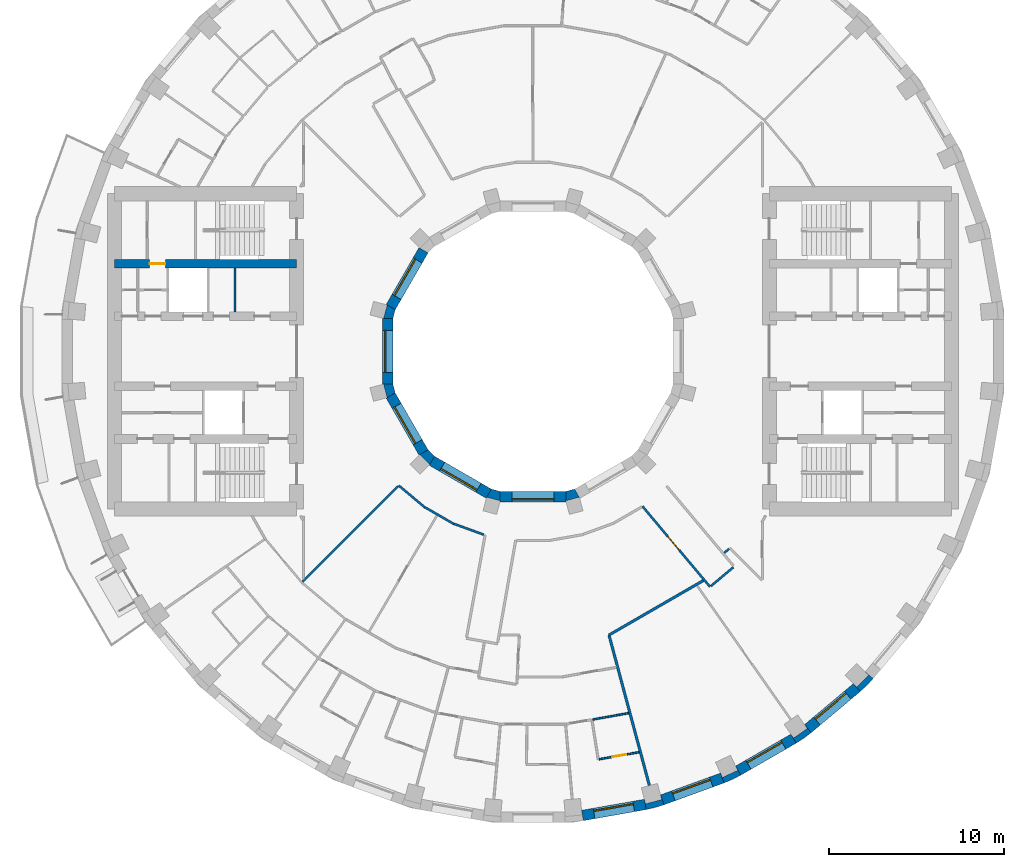
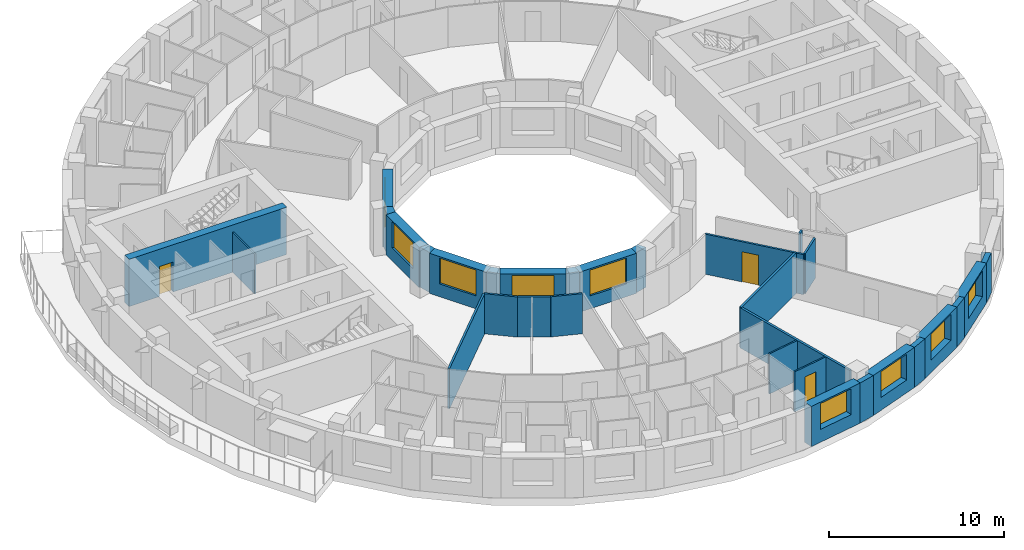
# One storey, part 5 of 12: 31 walls, 9 windows, 3 doors, 12 openings.
"""IFC4 building model written with IfcOpenShell, lengths in metres."""

from ifc_helpers import new_model, si_unit, direction, frame, frame_2d, origin, place, context, subcontext, project, spatial, polyline, rectangle, outline, extrude, material, layer, layer_set, type_object, element, fill, save


model = new_model("IFC4")

# Units and contexts
model_context = context("Model", 3, precision=1e-05, world=origin(), true_north=direction((0.0, 1.0)))
body_context = subcontext(model_context, "Body", "Model", "MODEL_VIEW")
ifc_project = project(units=[si_unit("LENGTHUNIT", "METRE"), si_unit("AREAUNIT", "SQUARE_METRE"), si_unit("VOLUMEUNIT", "CUBIC_METRE"), si_unit("PLANEANGLEUNIT", "RADIAN"), si_unit("MASSUNIT", "GRAM", prefix="KILO")], contexts=[model_context])

# Site, building, storey
site_placement = place(None, origin())
site = spatial("IfcSite", under=ifc_project, at=site_placement, CompositionType="ELEMENT")
building_placement = place(site_placement, origin())
building = spatial("IfcBuilding", under=site, at=building_placement, Name="Saqina Gate Tower", CompositionType="ELEMENT")
storey_placement = place(building_placement, frame((0.0, 0.0, 115.0)))
storey = spatial("IfcBuildingStorey", under=building, at=storey_placement, Name="L32", CompositionType="ELEMENT", Elevation=115.0)

# Walls
ifc_material_1 = material(Name="Brick masonry (buff)", Category="masonry")
wall_type_1 = type_object("IfcWallType", Name="BRICK PIER COPING BUFF", PredefinedType="SOLIDWALL", material=ifc_material_1)
wall_1_placement = place(storey_placement, origin())
element("IfcWall", 1, at=wall_1_placement, inside=storey, type_object=wall_type_1, Name="Pier cap L32 column 29", PredefinedType="SOLIDWALL", context=body_context, shape_type="SweptSolid", body=[
    extrude(outline(polyline([(6.466796875, -26.171875), (7.485595703125, -25.89892578125), (7.2802734375, -25.335205078125), (7.349853515625, -25.5947265625), (6.43212890625, -25.8408203125), (6.36279296875, -25.5810546875), (6.466796875, -26.171875)])), origin(), (0.0, 0.0, 1.0), 2.800048828125),
])
wall_2_placement = place(storey_placement, origin())
element("IfcWall", 2, at=wall_2_placement, inside=storey, type_object=wall_type_1, Name="Pier cap L32 column 30", PredefinedType="SOLIDWALL", context=body_context, shape_type="SweptSolid", body=[
    extrude(outline(polyline([(10.913330078125, -24.6513671875), (11.869140625, -24.205810546875), (11.569091796875, -23.68603515625), (11.6826171875, -23.9296875), (10.82177734375, -24.331298828125), (10.7080078125, -24.08740234375), (10.913330078125, -24.6513671875)])), origin(), (0.0, 0.0, 1.0), 2.800048828125),
])
wall_3_placement = place(storey_placement, origin())
element("IfcWall", 3, at=wall_3_placement, inside=storey, type_object=wall_type_1, Name="Pier cap L32 column 31", PredefinedType="SOLIDWALL", context=body_context, shape_type="SweptSolid", body=[
    extrude(outline(polyline([(15.89208984375, -21.77685546875), (15.50634765625, -21.317138671875), (15.66064453125, -21.53759765625), (14.88232421875, -22.08251953125), (14.728271484375, -21.862060546875), (15.0283203125, -22.3818359375), (15.89208984375, -21.77685546875)])), origin(), (0.0, 0.0, 1.0), 2.800048828125),
])
wall_4_placement = place(storey_placement, origin())
element("IfcWall", 4, at=wall_4_placement, inside=storey, type_object=wall_type_1, Name="Pier cap L32 column 32", PredefinedType="SOLIDWALL", context=body_context, shape_type="SweptSolid", body=[
    extrude(outline(polyline([(18.686279296875, -19.43212890625), (19.43212890625, -18.686279296875), (18.972412109375, -18.30078125), (19.16259765625, -18.49072265625), (18.49072265625, -19.16259765625), (18.30078125, -18.972412109375), (18.686279296875, -19.43212890625)])), origin(), (0.0, 0.0, 1.0), 2.800048828125),
])
ifc_material_2 = material(Name="Gypsum board on steel studs", Category="steel")
ifc_layer_1 = layer(ifc_material_2, 0.10009765625)
ifc_layer_set_1 = layer_set([ifc_layer_1], Name="CORE PARTITION")
wall_type_2 = type_object("IfcWallType", Name="CORE PARTITION", PredefinedType="PARTITIONING", material=ifc_layer_set_1)
wall_5_placement = place(storey_placement, frame((-17.022216796875, 2.25, 0.0), z_axis=(0.0, 0.0, 1.0), x_axis=(0.0, 1.0, 0.0)))
element("IfcWall", 5, at=wall_5_placement, inside=storey, type_object=wall_type_2, Name="L32-CP-W01", PredefinedType="PARTITIONING", context=body_context, shape_type="SweptSolid", body=[
    extrude(rectangle(XDim=2.5, YDim=0.10009765625, at=frame_2d((1.25, 0.0))), origin(), (0.0, 0.0, 1.0), 2.800048828125),
])

# Wall, opening, window
ifc_material_3 = material(Name="Brick masonry (buff)", Category="masonry")
ifc_layer_2 = layer(ifc_material_3, 0.60009765625)
ifc_layer_set_2 = layer_set([ifc_layer_2], Name="FW-BRICK-BUFF")
wall_type_3 = type_object("IfcWallType", Name="FW-BRICK-BUFF", PredefinedType="SOLIDWALL", material=ifc_layer_set_2)
wall_6_placement = place(storey_placement, frame((2.822265625, -26.510009765625, 0.0), z_axis=(0.0, 0.0, 1.0), x_axis=(0.984803764455, 0.173670796382, 0.0)))
wall_6 = element("IfcWall", 6, at=wall_6_placement, inside=storey, type_object=wall_type_3, Name="Facade wall L32 facet 28", PredefinedType="SOLIDWALL", context=body_context, shape_type="SweptSolid", body=[
    extrude(rectangle(XDim=3.64794921875, YDim=0.60009765625, at=frame_2d((1.823974609375, 0.0))), origin(), (0.0, 0.0, 1.0), 2.800048828125),
])
opening_1_placement = place(wall_6_placement, frame((0.673828125, 0.0, 0.89990234375)))
opening_1 = element("IfcOpeningElement", 7, at=opening_1_placement, cuts=wall_6, Name="Opening G09-W20", PredefinedType="OPENING", context=body_context, shape_type="SweptSolid", body=[
    extrude(rectangle(XDim=2.300048828125, YDim=1.800048828125, at=frame_2d((1.14990234375, 0.89990234375))), frame((0.0, 0.31201171875, 0.0), z_axis=(0.0, -1.0, 0.0), x_axis=(1.0, 0.0, 0.0)), (0.0, 0.0, 1.0), 0.6240234375),
])
ifc_material_4 = material(Name="Aluminium glazing", Category="aluminium")
window_type_1 = type_object("IfcWindowType", Name="WN-B", PartitioningType="SINGLE_PANEL", PredefinedType="WINDOW", material=ifc_material_4)
window_1_placement = place(opening_1_placement, origin())
window_1 = element("IfcWindow", 8, at=window_1_placement, inside=storey, type_object=window_type_1, Name="Window L32 facet 28", OverallHeight=1.800048828125, OverallWidth=2.300048828125, PartitioningType="SINGLE_PANEL", PredefinedType="WINDOW", context=body_context, shape_type="SweptSolid", body=[
    extrude(rectangle(XDim=2.300048828125, YDim=1.800048828125, at=frame_2d((1.14990234375, 0.89990234375))), frame((0.0, 0.179931640625, 0.0), z_axis=(0.0, -1.0, 0.0), x_axis=(1.0, 0.0, 0.0)), (0.0, 0.0, 1.0), 0.06005859375),
])
fill(opening_1, window_1)

wall_7_placement = place(storey_placement, frame((7.3828125, -25.616943359375, 0.0), z_axis=(0.0, 0.0, 1.0), x_axis=(0.939703505393, 0.341990236633, 0.0)))
wall_7 = element("IfcWall", 9, at=wall_7_placement, inside=storey, type_object=wall_type_3, Name="Facade wall L32 facet 29", PredefinedType="SOLIDWALL", context=body_context, shape_type="SweptSolid", body=[
    extrude(rectangle(XDim=3.64794921875, YDim=0.60009765625, at=frame_2d((1.823974609375, 0.0))), origin(), (0.0, 0.0, 1.0), 2.800048828125),
])
opening_2_placement = place(wall_7_placement, frame((0.673828125, 0.0, 0.89990234375)))
opening_2 = element("IfcOpeningElement", 10, at=opening_2_placement, cuts=wall_7, Name="Opening G09-W21", PredefinedType="OPENING", context=body_context, shape_type="SweptSolid", body=[
    extrude(rectangle(XDim=2.300048828125, YDim=1.800048828125, at=frame_2d((1.14990234375, 0.89990234375))), frame((0.0, 0.31201171875, 0.0), z_axis=(0.0, -1.0, 0.0), x_axis=(1.0, 0.0, 0.0)), (0.0, 0.0, 1.0), 0.6240234375),
])
window_2_placement = place(opening_2_placement, origin())
window_2 = element("IfcWindow", 11, at=window_2_placement, inside=storey, type_object=window_type_1, Name="Window L32 facet 29", OverallHeight=1.800048828125, OverallWidth=2.300048828125, PartitioningType="SINGLE_PANEL", PredefinedType="WINDOW", context=body_context, shape_type="SweptSolid", body=[
    extrude(rectangle(XDim=2.300048828125, YDim=1.800048828125, at=frame_2d((1.14990234375, 0.89990234375))), frame((0.0, 0.179931640625, 0.0), z_axis=(0.0, -1.0, 0.0), x_axis=(1.0, 0.0, 0.0)), (0.0, 0.0, 1.0), 0.06005859375),
])
fill(opening_2, window_2)

wall_8_placement = place(storey_placement, frame((11.718994140625, -23.94580078125, 0.0), z_axis=(0.0, 0.0, 1.0), x_axis=(0.866051847062, 0.499954196102, 0.0)))
wall_8 = element("IfcWall", 12, at=wall_8_placement, inside=storey, type_object=wall_type_3, Name="Facade wall L32 facet 30", PredefinedType="SOLIDWALL", context=body_context, shape_type="SweptSolid", body=[
    extrude(rectangle(XDim=3.647705078125, YDim=0.60009765625, at=frame_2d((1.82373046875, 0.0))), origin(), (0.0, 0.0, 1.0), 2.800048828125),
])
opening_3_placement = place(wall_8_placement, frame((0.673828125, 0.0, 0.89990234375)))
opening_3 = element("IfcOpeningElement", 13, at=opening_3_placement, cuts=wall_8, Name="Opening G09-W22", PredefinedType="OPENING", context=body_context, shape_type="SweptSolid", body=[
    extrude(rectangle(XDim=2.300048828125, YDim=1.800048828125, at=frame_2d((1.14990234375, 0.89990234375))), frame((0.0, 0.31201171875, 0.0), z_axis=(0.0, -1.0, 0.0), x_axis=(1.0, 0.0, 0.0)), (0.0, 0.0, 1.0), 0.6240234375),
])
window_3_placement = place(opening_3_placement, origin())
window_3 = element("IfcWindow", 14, at=window_3_placement, inside=storey, type_object=window_type_1, Name="Window L32 facet 30", OverallHeight=1.800048828125, OverallWidth=2.300048828125, PartitioningType="SINGLE_PANEL", PredefinedType="WINDOW", context=body_context, shape_type="SweptSolid", body=[
    extrude(rectangle(XDim=2.300048828125, YDim=1.800048828125, at=frame_2d((1.14990234375, 0.89990234375))), frame((0.0, 0.179931640625, 0.0), z_axis=(0.0, -1.0, 0.0), x_axis=(1.0, 0.0, 0.0)), (0.0, 0.0, 1.0), 0.06005859375),
])
fill(opening_3, window_3)

wall_9_placement = place(storey_placement, frame((15.69921875, -21.547119140625, 0.0), z_axis=(0.0, 0.0, 1.0), x_axis=(0.766055462616, 0.642774476932, 0.0)))
wall_9 = element("IfcWall", 15, at=wall_9_placement, inside=storey, type_object=wall_type_3, Name="Facade wall L32 facet 31", PredefinedType="SOLIDWALL", context=body_context, shape_type="SweptSolid", body=[
    extrude(rectangle(XDim=3.647705078125, YDim=0.60009765625, at=frame_2d((1.82373046875, 0.0))), origin(), (0.0, 0.0, 1.0), 2.800048828125),
])
opening_4_placement = place(wall_9_placement, frame((0.673828125, 0.0, 0.89990234375)))
opening_4 = element("IfcOpeningElement", 16, at=opening_4_placement, cuts=wall_9, Name="Opening G09-W23", PredefinedType="OPENING", context=body_context, shape_type="SweptSolid", body=[
    extrude(rectangle(XDim=2.300048828125, YDim=1.800048828125, at=frame_2d((1.14990234375, 0.89990234375))), frame((0.0, 0.31201171875, 0.0), z_axis=(0.0, -1.0, 0.0), x_axis=(1.0, 0.0, 0.0)), (0.0, 0.0, 1.0), 0.6240234375),
])
window_4_placement = place(opening_4_placement, origin())
window_4 = element("IfcWindow", 17, at=window_4_placement, inside=storey, type_object=window_type_1, Name="Window L32 facet 31", OverallHeight=1.800048828125, OverallWidth=2.300048828125, PartitioningType="SINGLE_PANEL", PredefinedType="WINDOW", context=body_context, shape_type="SweptSolid", body=[
    extrude(rectangle(XDim=2.300048828125, YDim=1.800048828125, at=frame_2d((1.14990234375, 0.89990234375))), frame((0.0, 0.179931640625, 0.0), z_axis=(0.0, -1.0, 0.0), x_axis=(1.0, 0.0, 0.0)), (0.0, 0.0, 1.0), 0.06005859375),
])
fill(opening_4, window_4)

ifc_material_5 = material(Name="Glazed ceramic tile", Category="ceramic")
ifc_layer_3 = layer(ifc_material_5, 0.60009765625)
ifc_layer_set_3 = layer_set([ifc_layer_3], Name="IW-TILE")
wall_type_4 = type_object("IfcWallType", Name="IW-TILE", PredefinedType="SOLIDWALL", material=ifc_layer_set_3)
wall_10_placement = place(storey_placement, frame((-6.251220703125, 5.772705078125, 0.0), z_axis=(0.0, 0.0, 1.0), x_axis=(-0.499964958637, -0.86604563398, 0.0)))
wall_10 = element("IfcWall", 18, at=wall_10_placement, inside=storey, type_object=wall_type_4, Name="Well wall L32 facet 5", PredefinedType="SOLIDWALL", context=body_context, shape_type="SweptSolid", body=[
    extrude(rectangle(XDim=3.747314453125, YDim=0.60009765625, at=frame_2d((1.87353515625, 0.0))), origin(), (0.0, 0.0, 1.0), 2.800048828125),
])
opening_5_placement = place(wall_10_placement, frame((0.673583984375, 0.0, 0.89990234375)))
opening_5 = element("IfcOpeningElement", 19, at=opening_5_placement, cuts=wall_10, Name="Opening G09-W30", PredefinedType="OPENING", context=body_context, shape_type="SweptSolid", body=[
    extrude(rectangle(XDim=2.39990234375, YDim=1.800048828125, at=frame_2d((1.199951171875, 0.89990234375))), frame((0.0, 0.31201171875, 0.0), z_axis=(0.0, -1.0, 0.0), x_axis=(1.0, 0.0, 0.0)), (0.0, 0.0, 1.0), 0.6240234375),
])
ifc_material_6 = material(Name="Aluminium glazing", Category="aluminium")
window_type_2 = type_object("IfcWindowType", Name="WN-W", PartitioningType="SINGLE_PANEL", PredefinedType="WINDOW", material=ifc_material_6)
window_5_placement = place(opening_5_placement, origin())
window_5 = element("IfcWindow", 20, at=window_5_placement, inside=storey, type_object=window_type_2, Name="Well window L32 facet 5", OverallHeight=1.800048828125, OverallWidth=2.39990234375, PartitioningType="SINGLE_PANEL", PredefinedType="WINDOW", context=body_context, shape_type="SweptSolid", body=[
    extrude(rectangle(XDim=2.39990234375, YDim=1.800048828125, at=frame_2d((1.199951171875, 0.89990234375))), frame((0.0, -0.119873046875, 0.0), z_axis=(0.0, -1.0, 0.0), x_axis=(1.0, 0.0, 0.0)), (0.0, 0.0, 1.0), 0.06005859375),
])
fill(opening_5, window_5)

wall_11_placement = place(storey_placement, frame((-8.300048828125, 1.873779296875, 0.0), z_axis=(0.0, 0.0, 1.0), x_axis=(0.0, -1.0, 0.0)))
wall_11 = element("IfcWall", 21, at=wall_11_placement, inside=storey, type_object=wall_type_4, Name="Well wall L32 facet 6", PredefinedType="SOLIDWALL", context=body_context, shape_type="SweptSolid", body=[
    extrude(rectangle(XDim=3.74755859375, YDim=0.60009765625, at=frame_2d((1.873779296875, 0.0))), origin(), (0.0, 0.0, 1.0), 2.800048828125),
])
opening_6_placement = place(wall_11_placement, frame((0.673583984375, 0.0, 0.89990234375)))
opening_6 = element("IfcOpeningElement", 22, at=opening_6_placement, cuts=wall_11, Name="Opening G09-W31", PredefinedType="OPENING", context=body_context, shape_type="SweptSolid", body=[
    extrude(rectangle(XDim=2.39990234375, YDim=1.800048828125, at=frame_2d((1.199951171875, 0.89990234375))), frame((0.0, 0.31201171875, 0.0), z_axis=(0.0, -1.0, 0.0), x_axis=(1.0, 0.0, 0.0)), (0.0, 0.0, 1.0), 0.6240234375),
])
window_6_placement = place(opening_6_placement, origin())
window_6 = element("IfcWindow", 23, at=window_6_placement, inside=storey, type_object=window_type_2, Name="Well window L32 facet 6", OverallHeight=1.800048828125, OverallWidth=2.39990234375, PartitioningType="SINGLE_PANEL", PredefinedType="WINDOW", context=body_context, shape_type="SweptSolid", body=[
    extrude(rectangle(XDim=2.39990234375, YDim=1.800048828125, at=frame_2d((1.199951171875, 0.89990234375))), frame((0.0, -0.119873046875, 0.0), z_axis=(0.0, -1.0, 0.0), x_axis=(1.0, 0.0, 0.0)), (0.0, 0.0, 1.0), 0.06005859375),
])
fill(opening_6, window_6)

wall_12_placement = place(storey_placement, frame((-8.124755859375, -2.52734375, 0.0), z_axis=(0.0, 0.0, 1.0), x_axis=(0.499964958637, -0.86604563398, 0.0)))
wall_12 = element("IfcWall", 24, at=wall_12_placement, inside=storey, type_object=wall_type_4, Name="Well wall L32 facet 7", PredefinedType="SOLIDWALL", context=body_context, shape_type="SweptSolid", body=[
    extrude(rectangle(XDim=3.747314453125, YDim=0.60009765625, at=frame_2d((1.87353515625, 0.0))), origin(), (0.0, 0.0, 1.0), 2.800048828125),
])
opening_7_placement = place(wall_12_placement, frame((0.673583984375, 0.0, 0.89990234375)))
opening_7 = element("IfcOpeningElement", 25, at=opening_7_placement, cuts=wall_12, Name="Opening G09-W32", PredefinedType="OPENING", context=body_context, shape_type="SweptSolid", body=[
    extrude(rectangle(XDim=2.39990234375, YDim=1.800048828125, at=frame_2d((1.199951171875, 0.89990234375))), frame((0.0, 0.31201171875, 0.0), z_axis=(0.0, -1.0, 0.0), x_axis=(1.0, 0.0, 0.0)), (0.0, 0.0, 1.0), 0.6240234375),
])
window_7_placement = place(opening_7_placement, origin())
window_7 = element("IfcWindow", 26, at=window_7_placement, inside=storey, type_object=window_type_2, Name="Well window L32 facet 7", OverallHeight=1.800048828125, OverallWidth=2.39990234375, PartitioningType="SINGLE_PANEL", PredefinedType="WINDOW", context=body_context, shape_type="SweptSolid", body=[
    extrude(rectangle(XDim=2.39990234375, YDim=1.800048828125, at=frame_2d((1.199951171875, 0.89990234375))), frame((0.0, -0.119873046875, 0.0), z_axis=(0.0, -1.0, 0.0), x_axis=(1.0, 0.0, 0.0)), (0.0, 0.0, 1.0), 0.06005859375),
])
fill(opening_7, window_7)

wall_13_placement = place(storey_placement, frame((-5.772705078125, -6.251220703125, 0.0), z_axis=(0.0, 0.0, 1.0), x_axis=(0.86604563398, -0.499964958637, 0.0)))
wall_13 = element("IfcWall", 27, at=wall_13_placement, inside=storey, type_object=wall_type_4, Name="Well wall L32 facet 8", PredefinedType="SOLIDWALL", context=body_context, shape_type="SweptSolid", body=[
    extrude(rectangle(XDim=3.747314453125, YDim=0.60009765625, at=frame_2d((1.87353515625, 0.0))), origin(), (0.0, 0.0, 1.0), 2.800048828125),
])
opening_8_placement = place(wall_13_placement, frame((0.673583984375, 0.0, 0.89990234375)))
opening_8 = element("IfcOpeningElement", 28, at=opening_8_placement, cuts=wall_13, Name="Opening G09-W33", PredefinedType="OPENING", context=body_context, shape_type="SweptSolid", body=[
    extrude(rectangle(XDim=2.39990234375, YDim=1.800048828125, at=frame_2d((1.199951171875, 0.89990234375))), frame((0.0, 0.31201171875, 0.0), z_axis=(0.0, -1.0, 0.0), x_axis=(1.0, 0.0, 0.0)), (0.0, 0.0, 1.0), 0.6240234375),
])
window_8_placement = place(opening_8_placement, origin())
window_8 = element("IfcWindow", 29, at=window_8_placement, inside=storey, type_object=window_type_2, Name="Well window L32 facet 8", OverallHeight=1.800048828125, OverallWidth=2.39990234375, PartitioningType="SINGLE_PANEL", PredefinedType="WINDOW", context=body_context, shape_type="SweptSolid", body=[
    extrude(rectangle(XDim=2.39990234375, YDim=1.800048828125, at=frame_2d((1.199951171875, 0.89990234375))), frame((0.0, -0.119873046875, 0.0), z_axis=(0.0, -1.0, 0.0), x_axis=(1.0, 0.0, 0.0)), (0.0, 0.0, 1.0), 0.06005859375),
])
fill(opening_8, window_8)

wall_14_placement = place(storey_placement, frame((-1.873779296875, -8.300048828125, 0.0), z_axis=(0.0, 0.0, 1.0), x_axis=(1.0, 0.0, 0.0)))
wall_14 = element("IfcWall", 30, at=wall_14_placement, inside=storey, type_object=wall_type_4, Name="Well wall L32 facet 9", PredefinedType="SOLIDWALL", context=body_context, shape_type="SweptSolid", body=[
    extrude(rectangle(XDim=3.74755859375, YDim=0.60009765625, at=frame_2d((1.873779296875, 0.0))), origin(), (0.0, 0.0, 1.0), 2.800048828125),
])
opening_9_placement = place(wall_14_placement, frame((0.673583984375, 0.0, 0.89990234375)))
opening_9 = element("IfcOpeningElement", 31, at=opening_9_placement, cuts=wall_14, Name="Opening G09-W34", PredefinedType="OPENING", context=body_context, shape_type="SweptSolid", body=[
    extrude(rectangle(XDim=2.39990234375, YDim=1.800048828125, at=frame_2d((1.199951171875, 0.89990234375))), frame((0.0, 0.31201171875, 0.0), z_axis=(0.0, -1.0, 0.0), x_axis=(1.0, 0.0, 0.0)), (0.0, 0.0, 1.0), 0.6240234375),
])
window_9_placement = place(opening_9_placement, origin())
window_9 = element("IfcWindow", 32, at=window_9_placement, inside=storey, type_object=window_type_2, Name="Well window L32 facet 9", OverallHeight=1.800048828125, OverallWidth=2.39990234375, PartitioningType="SINGLE_PANEL", PredefinedType="WINDOW", context=body_context, shape_type="SweptSolid", body=[
    extrude(rectangle(XDim=2.39990234375, YDim=1.800048828125, at=frame_2d((1.199951171875, 0.89990234375))), frame((0.0, -0.119873046875, 0.0), z_axis=(0.0, -1.0, 0.0), x_axis=(1.0, 0.0, 0.0)), (0.0, 0.0, 1.0), 0.06005859375),
])
fill(opening_9, window_9)

# Wall, opening, door
ifc_material_7 = material(Name="Gypsum board on steel studs, 100 mm", Category="steel")
ifc_layer_4 = layer(ifc_material_7, 0.10009765625)
ifc_layer_set_4 = layer_set([ifc_layer_4], Name="PARTITION 100")
wall_type_5 = type_object("IfcWallType", Name="PARTITION 100", PredefinedType="PARTITIONING", material=ifc_layer_set_4)
wall_15_placement = place(storey_placement, frame((3.774169921875, -23.29541015625, 0.0), z_axis=(0.0, 0.0, 1.0), x_axis=(0.984822762683, 0.173563032072, 0.0)))
wall_15 = element("IfcWall", 33, at=wall_15_placement, inside=storey, type_object=wall_type_5, Name="PARTITION PW3-58", PredefinedType="PARTITIONING", context=body_context, shape_type="SweptSolid", body=[
    extrude(rectangle(XDim=2.318115234375, YDim=0.10009765625, at=frame_2d((1.1591796875, 0.0))), origin(), (0.0, 0.0, 1.0), 2.800048828125),
])
opening_10_placement = place(wall_15_placement, frame((0.771484375, 0.0, 0.0)))
opening_10 = element("IfcOpeningElement", 34, at=opening_10_placement, cuts=wall_15, Name="Opening G09-D49", PredefinedType="OPENING", context=body_context, shape_type="SweptSolid", body=[
    extrude(rectangle(XDim=0.800048828125, YDim=2.10009765625, at=frame_2d((0.39990234375, 1.050048828125))), frame((0.0, 0.06201171875, 0.0), z_axis=(0.0, -1.0, 0.0), x_axis=(1.0, 0.0, 0.0)), (0.0, 0.0, 1.0), 0.1240234375),
])
ifc_material_8 = material(Name="Timber door leaf, 800 mm", Category="wood")
door_type_1 = type_object("IfcDoorType", Name="DOOR 800 TIMBER", OperationType="SINGLE_SWING_LEFT", PredefinedType="DOOR", material=ifc_material_8)
door_1_placement = place(opening_10_placement, frame((0.800048828125, 0.0, 0.0), z_axis=(0.0, 0.0, 1.0), x_axis=(-1.0, 0.0, 0.0)))
door_1 = element("IfcDoor", 35, at=door_1_placement, inside=storey, type_object=door_type_1, Name="DOOR G09-D49", OperationType="SINGLE_SWING_LEFT", OverallHeight=2.10009765625, OverallWidth=0.800048828125, PredefinedType="DOOR", context=body_context, shape_type="SweptSolid", body=[
    extrude(rectangle(XDim=0.800048828125, YDim=2.10009765625, at=frame_2d((0.39990234375, 1.050048828125))), frame((0.0, 0.02490234375, 0.0), z_axis=(0.0, -1.0, 0.0), x_axis=(1.0, 0.0, 0.0)), (0.0, 0.0, 1.0), 0.050048828125),
])
fill(opening_10, door_1)

# Wall
wall_16_placement = place(storey_placement, frame((3.4111328125, -21.0244140625, 0.0), z_axis=(0.0, 0.0, 1.0), x_axis=(0.984791830212, 0.173738456158, 0.0)))
element("IfcWall", 36, at=wall_16_placement, inside=storey, type_object=wall_type_5, Name="PARTITION PW3-59", PredefinedType="PARTITIONING", context=body_context, shape_type="SweptSolid", body=[
    extrude(rectangle(XDim=2.079833984375, YDim=0.10009765625, at=frame_2d((1.0400390625, 0.0))), origin(), (0.0, 0.0, 1.0), 2.800048828125),
])

# Wall, opening, door
ifc_material_9 = material(Name="Gypsum board on steel studs, 125 mm, fire rated", Category="steel")
ifc_layer_5 = layer(ifc_material_9, 0.125)
ifc_layer_set_5 = layer_set([ifc_layer_5], Name="PARTITION EI 30 125")
wall_type_6 = type_object("IfcWallType", Name="PARTITION EI 30 125", PredefinedType="PARTITIONING", material=ifc_layer_set_5)
wall_17_placement = place(storey_placement, frame((6.2529296875, -8.85205078125, 0.0), z_axis=(0.0, 0.0, 1.0), x_axis=(0.642738639283, -0.766085531499, 0.0)))
wall_17 = element("IfcWall", 37, at=wall_17_placement, inside=storey, type_object=wall_type_6, Name="PARTITION PW1-04", PredefinedType="PARTITIONING", context=body_context, shape_type="SweptSolid", body=[
    extrude(rectangle(XDim=5.999267578125, YDim=0.125, at=frame_2d((2.99951171875, 0.0))), origin(), (0.0, 0.0, 1.0), 2.800048828125),
])
opening_11_placement = place(wall_17_placement, frame((2.244384765625, 0.0, 0.0)))
opening_11 = element("IfcOpeningElement", 38, at=opening_11_placement, cuts=wall_17, Name="Opening G09-D51", PredefinedType="OPENING", context=body_context, shape_type="SweptSolid", body=[
    extrude(rectangle(XDim=1.0, YDim=2.10009765625, at=frame_2d((0.5, 1.050048828125))), frame((0.0, 0.074462890625, 0.0), z_axis=(0.0, -1.0, 0.0), x_axis=(1.0, 0.0, 0.0)), (0.0, 0.0, 1.0), 0.14892578125),
])
ifc_material_10 = material(Name="Fire door leaf EI 30, 1000 mm")
door_type_2 = type_object("IfcDoorType", Name="DOOR 1000 EI 30", OperationType="SINGLE_SWING_LEFT", PredefinedType="DOOR", material=ifc_material_10)
door_2_placement = place(opening_11_placement, frame((1.0, 0.0, 0.0), z_axis=(0.0, 0.0, 1.0), x_axis=(-1.0, 0.0, 0.0)))
door_2 = element("IfcDoor", 39, at=door_2_placement, inside=storey, type_object=door_type_2, Name="DOOR G09-D51", OperationType="SINGLE_SWING_RIGHT", OverallHeight=2.10009765625, OverallWidth=1.0, PredefinedType="DOOR", context=body_context, shape_type="SweptSolid", body=[
    extrude(rectangle(XDim=1.0, YDim=2.10009765625, at=frame_2d((0.5, 1.050048828125))), frame((0.0, 0.02490234375, 0.0), z_axis=(0.0, -1.0, 0.0), x_axis=(1.0, 0.0, 0.0)), (0.0, 0.0, 1.0), 0.050048828125),
])
fill(opening_11, door_2)

# Walls
wall_18_placement = place(storey_placement, frame((-7.6650390625, -7.6640625, 0.0), z_axis=(0.0, 0.0, 1.0), x_axis=(0.766086332365, -0.642737684723, 0.0)))
element("IfcWall", 40, at=wall_18_placement, inside=storey, type_object=wall_type_6, Name="PARTITION PW1-09", PredefinedType="PARTITIONING", context=body_context, shape_type="SweptSolid", body=[
    extrude(rectangle(XDim=1.95361328125, YDim=0.125, at=frame_2d((0.976806640625, 0.0))), origin(), (0.0, 0.0, 1.0), 2.800048828125),
])
wall_19_placement = place(storey_placement, frame((-6.162841796875, -8.91015625, 0.0), z_axis=(0.0, 0.0, 1.0), x_axis=(0.865856369022, -0.500292662572, 0.0)))
element("IfcWall", 41, at=wall_19_placement, inside=storey, type_object=wall_type_6, Name="PARTITION PW1-12", PredefinedType="PARTITIONING", context=body_context, shape_type="SweptSolid", body=[
    extrude(rectangle(XDim=1.889892578125, YDim=0.125, at=frame_2d((0.94482421875, 0.0))), origin(), (0.0, 0.0, 1.0), 2.800048828125),
])
wall_20_placement = place(storey_placement, frame((-4.523193359375, -9.847412109375, 0.0), z_axis=(0.0, 0.0, 1.0), x_axis=(0.939758316357, -0.341839592261, 0.0)))
element("IfcWall", 42, at=wall_20_placement, inside=storey, type_object=wall_type_6, Name="PARTITION PW1-16", PredefinedType="PARTITIONING", context=body_context, shape_type="SweptSolid", body=[
    extrude(rectangle(XDim=1.82763671875, YDim=0.125, at=frame_2d((0.913818359375, 0.0))), origin(), (0.0, 0.0, 1.0), 2.800048828125),
])
wall_21_placement = place(storey_placement, frame((10.156982421875, -13.40771484375, 0.0), z_axis=(0.0, 0.0, 1.0), x_axis=(0.766066523004, 0.642761294986, 0.0)))
element("IfcWall", 43, at=wall_21_placement, inside=storey, type_object=wall_type_6, Name="PARTITION PW1-38", PredefinedType="PARTITIONING", context=body_context, shape_type="SweptSolid", body=[
    extrude(rectangle(XDim=1.675048828125, YDim=0.125, at=frame_2d((0.83740234375, 0.0))), origin(), (0.0, 0.0, 1.0), 2.800048828125),
])
wall_22_placement = place(storey_placement, frame((10.91748046875, -11.513671875, 0.0), z_axis=(0.0, 0.0, 1.0), x_axis=(0.765718201941, 0.643176208527, 0.0)))
element("IfcWall", 44, at=wall_22_placement, inside=storey, type_object=wall_type_6, Name="PARTITION PW1-39", PredefinedType="PARTITIONING", context=body_context, shape_type="SweptSolid", body=[
    extrude(rectangle(XDim=0.360595703125, YDim=0.125, at=frame_2d((0.18017578125, 0.0))), origin(), (0.0, 0.0, 1.0), 2.800048828125),
])
wall_23_placement = place(storey_placement, frame((-13.1669921875, -13.166015625, 0.0), z_axis=(0.0, 0.0, 1.0), x_axis=(0.707391477554, 0.706821970148, 0.0)))
element("IfcWall", 45, at=wall_23_placement, inside=storey, type_object=wall_type_6, Name="PARTITION PW1-42", PredefinedType="PARTITIONING", context=body_context, shape_type="SweptSolid", body=[
    extrude(rectangle(XDim=7.71630859375, YDim=0.125, at=frame_2d((3.858154296875, 0.0))), origin(), (0.0, 0.0, 1.0), 2.800048828125),
])
ifc_material_11 = material(Name="Gypsum board on steel studs, 150 mm, fire rated", Category="steel")
ifc_layer_6 = layer(ifc_material_11, 0.14990234375)
ifc_layer_set_6 = layer_set([ifc_layer_6], Name="PARTITION EI 60 150")
wall_type_7 = type_object("IfcWallType", Name="PARTITION EI 60 150", PredefinedType="PARTITIONING", material=ifc_layer_set_6)
wall_24_placement = place(storey_placement, frame((4.34033203125, -16.2041015625, 0.0), z_axis=(0.0, 0.0, 1.0), x_axis=(0.259146062247, -0.965838142973, 0.0)))
element("IfcWall", 46, at=wall_24_placement, inside=storey, type_object=wall_type_7, Name="PARTITION PW2-01", PredefinedType="PARTITIONING", context=body_context, shape_type="SweptSolid", body=[
    extrude(rectangle(XDim=8.8896484375, YDim=0.14990234375, at=frame_2d((4.44482421875, 0.0))), origin(), (0.0, 0.0, 1.0), 2.800048828125),
])
wall_25_placement = place(storey_placement, frame((4.328125, -16.20751953125, 0.0), z_axis=(0.0, 0.0, 1.0), x_axis=(0.865952126022, 0.500126899334, 0.0)))
element("IfcWall", 47, at=wall_25_placement, inside=storey, type_object=wall_type_7, Name="PARTITION PW2-02", PredefinedType="PARTITIONING", context=body_context, shape_type="SweptSolid", body=[
    extrude(rectangle(XDim=6.2353515625, YDim=0.14990234375, at=frame_2d((3.11767578125, 0.0))), origin(), (0.0, 0.0, 1.0), 2.800048828125),
])

# Wall, opening, door
ifc_material_12 = material(Name="Concrete C70/85", Category="concrete")
ifc_layer_7 = layer(ifc_material_12, 0.5)
ifc_layer_set_7 = layer_set([ifc_layer_7], Name="Concrete C70/85")
wall_type_8 = type_object("IfcWallType", Name="STR-CORE WALL-B-I", PredefinedType="SHEAR", material=ifc_layer_set_7)
wall_26_placement = place(storey_placement, frame((-13.5, 5.0, 0.0), z_axis=(0.0, 0.0, 1.0), x_axis=(-1.0, 0.0, 0.0)))
wall_26 = element("IfcWall", 48, at=wall_26_placement, inside=storey, type_object=wall_type_8, Name="CORE WALL L32 W-X1", PredefinedType="SHEAR", context=body_context, shape_type="SweptSolid", body=[
    extrude(rectangle(XDim=10.39990234375, YDim=0.5, at=frame_2d((5.199951171875, 0.0))), origin(), (0.0, 0.0, 1.0), 3.300048828125),
])
opening_12_placement = place(wall_26_placement, frame((7.488525390625, 0.0, 0.0)))
opening_12 = element("IfcOpeningElement", 49, at=opening_12_placement, cuts=wall_26, Name="Opening G09-D116", PredefinedType="OPENING", context=body_context, shape_type="SweptSolid", body=[
    extrude(rectangle(XDim=0.89990234375, YDim=2.10009765625, at=frame_2d((0.449951171875, 1.050048828125))), frame((0.0, 0.261962890625, 0.0), z_axis=(0.0, -1.0, 0.0), x_axis=(1.0, 0.0, 0.0)), (0.0, 0.0, 1.0), 0.52392578125),
])
ifc_material_13 = material(Name="Steel-framed fire door leaf, EI 60", Category="steel")
door_type_3 = type_object("IfcDoorType", Name="SERVICE ROOM DOOR 900", OperationType="SINGLE_SWING_LEFT", PredefinedType="DOOR", material=ifc_material_13)
door_3_placement = place(opening_12_placement, frame((0.89990234375, 0.0, 0.0), z_axis=(0.0, 0.0, 1.0), x_axis=(-1.0, 0.0, 0.0)))
door_3 = element("IfcDoor", 50, at=door_3_placement, inside=storey, type_object=door_type_3, Name="L32-CD-W27", OperationType="SINGLE_SWING_LEFT", OverallHeight=2.10009765625, OverallWidth=0.89990234375, PredefinedType="DOOR", context=body_context, shape_type="SweptSolid", body=[
    extrude(rectangle(XDim=0.89990234375, YDim=2.10009765625, at=frame_2d((0.449951171875, 1.050048828125))), frame((0.0, 0.02490234375, 0.0), z_axis=(0.0, -1.0, 0.0), x_axis=(1.0, 0.0, 0.0)), (0.0, 0.0, 1.0), 0.050048828125),
])
fill(opening_12, door_3)

# Walls
ifc_material_14 = material(Name="Glazed ceramic tile", Category="ceramic")
wall_type_9 = type_object("IfcWallType", Name="TILE PIER COPING", PredefinedType="SOLIDWALL", material=ifc_material_14)
wall_27_placement = place(storey_placement, origin())
element("IfcWall", 51, at=wall_27_placement, inside=storey, type_object=wall_type_9, Name="Well pier cap L32 column 6", PredefinedType="SOLIDWALL", context=body_context, shape_type="SweptSolid", body=[
    extrude(outline(polyline([(-8.5380859375, 1.873779296875), (-8.0, 1.873779296875), (-7.864990234375, 2.377197265625), (-8.3310546875, 2.646484375), (-8.5380859375, 1.873779296875)])), origin(), (0.0, 0.0, 1.0), 2.800048828125),
])
wall_28_placement = place(storey_placement, origin())
element("IfcWall", 52, at=wall_28_placement, inside=storey, type_object=wall_type_9, Name="Well pier cap L32 column 7", PredefinedType="SOLIDWALL", context=body_context, shape_type="SweptSolid", body=[
    extrude(outline(polyline([(-8.3310546875, -2.646484375), (-7.864990234375, -2.377197265625), (-8.0, -1.873779296875), (-8.5380859375, -1.873779296875), (-8.3310546875, -2.646484375)])), origin(), (0.0, 0.0, 1.0), 2.800048828125),
])
wall_29_placement = place(storey_placement, origin())
element("IfcWall", 53, at=wall_29_placement, inside=storey, type_object=wall_type_9, Name="Well pier cap L32 column 8", PredefinedType="SOLIDWALL", context=body_context, shape_type="SweptSolid", body=[
    extrude(outline(polyline([(-6.45751953125, -5.891845703125), (-5.891845703125, -6.45751953125), (-5.622802734375, -5.991455078125), (-5.991455078125, -5.622802734375), (-6.45751953125, -5.891845703125)])), origin(), (0.0, 0.0, 1.0), 2.800048828125),
])
wall_30_placement = place(storey_placement, origin())
element("IfcWall", 54, at=wall_30_placement, inside=storey, type_object=wall_type_9, Name="Well pier cap L32 column 9", PredefinedType="SOLIDWALL", context=body_context, shape_type="SweptSolid", body=[
    extrude(outline(polyline([(-1.873779296875, -8.5380859375), (-1.873779296875, -8.0), (-2.377197265625, -7.864990234375), (-2.646484375, -8.3310546875), (-1.873779296875, -8.5380859375)])), origin(), (0.0, 0.0, 1.0), 2.800048828125),
])
wall_31_placement = place(storey_placement, origin())
element("IfcWall", 55, at=wall_31_placement, inside=storey, type_object=wall_type_9, Name="Well pier cap L32 column 10", PredefinedType="SOLIDWALL", context=body_context, shape_type="SweptSolid", body=[
    extrude(outline(polyline([(2.646484375, -8.3310546875), (2.377197265625, -7.864990234375), (1.873779296875, -8.0), (1.873779296875, -8.5380859375), (2.646484375, -8.3310546875)])), origin(), (0.0, 0.0, 1.0), 2.800048828125),
])

save(model, "model.ifc")
